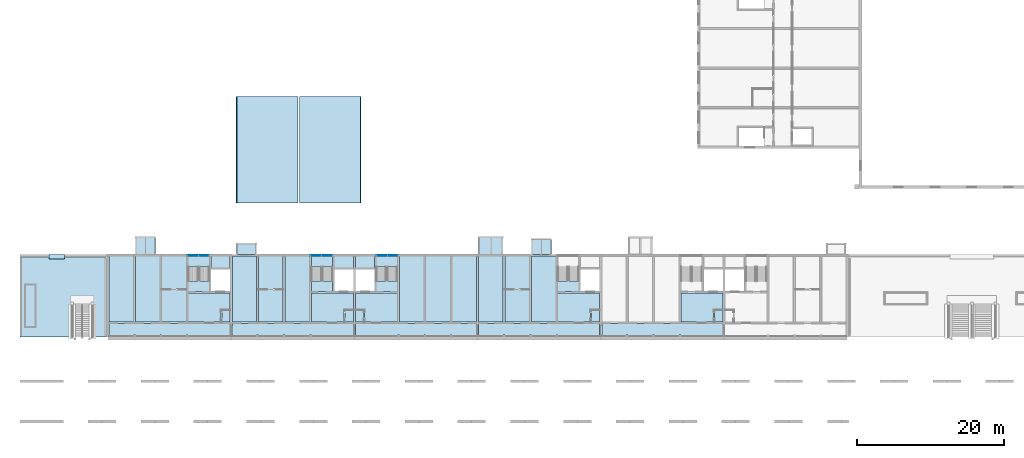
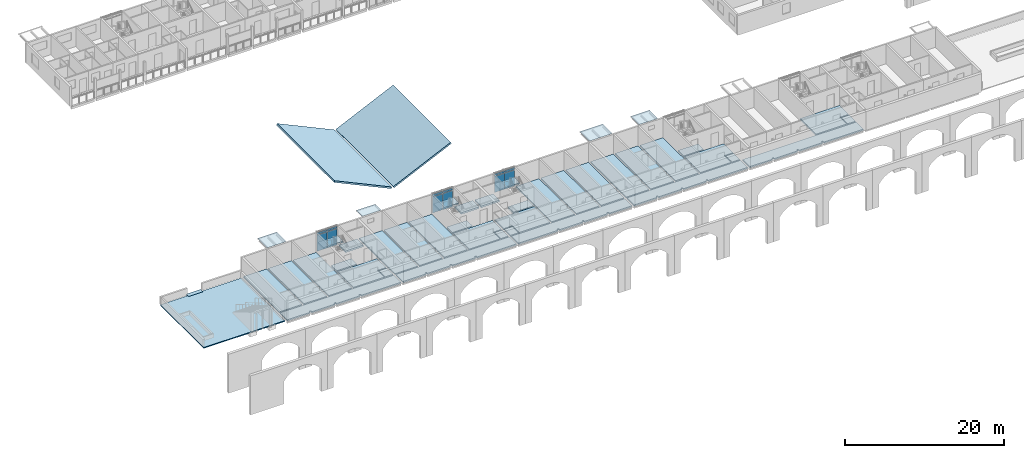
# One storey, part 42 of 122: 45 slabs, 12 plates, 6 elements without a shape of their own.
"""IFC4 building model written with IfcOpenShell, lengths in metres."""

from ifc_helpers import new_model, si_unit, direction, frame, origin, origin_2d, place, context, subcontext, project, spatial, polyline, rectangle, outline, extrude, material, layer, layer_set, type_object, element, aggregate, save


model = new_model("IFC4")

# Units and contexts
model_context = context("Model", 3, precision=1e-05, world=origin(), true_north=direction((0.0, 1.0)))
body_context = subcontext(model_context, "Body", "Model", "MODEL_VIEW")
ifc_project = project(units=[si_unit("LENGTHUNIT", "METRE"), si_unit("AREAUNIT", "SQUARE_METRE"), si_unit("VOLUMEUNIT", "CUBIC_METRE"), si_unit("PLANEANGLEUNIT", "RADIAN"), si_unit("MASSUNIT", "GRAM", prefix="KILO")], contexts=[model_context])

# Site, building, storey
site_placement = place(None, origin())
site = spatial("IfcSite", under=ifc_project, at=site_placement, CompositionType="ELEMENT")
building_placement = place(site_placement, origin())
building = spatial("IfcBuilding", under=site, at=building_placement, Name="Ridgestep Commons", CompositionType="ELEMENT")
storey_placement = place(building_placement, frame((0.0, 0.0, 3.0)))
storey = spatial("IfcBuildingStorey", under=building, at=storey_placement, Name="L01", CompositionType="ELEMENT", Elevation=3.0)

# Slabs
ifc_material_1 = material(Name="Concrete C30/37", Category="concrete")
ifc_layer_1 = layer(ifc_material_1, 0.199951171875)
ifc_layer_set_1 = layer_set([ifc_layer_1], Name="Community stair landing slab 200")
slab_type_1 = type_object("IfcSlabType", Name="Community stair landing slab 200", PredefinedType="LANDING", material=ifc_layer_set_1)
slab_1_placement = place(storey_placement, frame((0.0, 0.0, -0.199951171875)))
element("IfcSlab", 1, at=slab_1_placement, inside=storey, type_object=slab_type_1, Name="Arrival landing", PredefinedType="LANDING", context=body_context, shape_type="SweptSolid", body=[
    extrude(outline(polyline([(3.949951171875, 22.39990234375), (6.050048828125, 22.39990234375), (6.050048828125, 23.0), (3.949951171875, 23.0), (3.949951171875, 22.39990234375)])), origin(), (0.0, 0.0, 1.0), 0.199951171875),
])
ifc_material_2 = material(Name="Concrete C30/37", Category="concrete")
ifc_layer_2 = layer(ifc_material_2, 0.14990234375)
ifc_layer_set_2 = layer_set([ifc_layer_2], Name="Community terrace slab 150")
slab_type_2 = type_object("IfcSlabType", Name="Community terrace slab 150", PredefinedType="BASESLAB", material=ifc_layer_set_2)
slab_2_placement = place(storey_placement, frame((0.0, 0.0, -0.14990234375)))
element("IfcSlab", 2, at=slab_2_placement, inside=storey, type_object=slab_type_2, Name="Garden terrace paving west", PredefinedType="BASESLAB", context=body_context, shape_type="SweptSolid", body=[
    extrude(outline(polyline([(11.800048828125, 22.60009765625), (11.800048828125, 11.75), (0.001953125, 11.75), (0.001953125, 22.60009765625), (3.949951171875, 22.60009765625), (3.949951171875, 22.39990234375), (6.050048828125, 22.39990234375), (6.050048828125, 22.60009765625), (11.800048828125, 22.60009765625)])), origin(), (0.0, 0.0, 1.0), 0.14990234375),
])
ifc_material_3 = material(Name="Precast concrete C40/50", Category="concrete")
ifc_layer_3 = layer(ifc_material_3, 0.199951171875)
ifc_layer_set_3 = layer_set([ifc_layer_3], Name="Gallery slab 200")
slab_type_3 = type_object("IfcSlabType", Name="Gallery slab 200", PredefinedType="FLOOR", material=ifc_layer_set_3)
slab_3_placement = place(storey_placement, frame((0.0, 0.0, -0.199951171875)))
element("IfcSlab", 3, at=slab_3_placement, inside=storey, type_object=slab_type_3, Name="Gallery slab A1 L01", PredefinedType="FLOOR", context=body_context, shape_type="SweptSolid", body=[
    extrude(outline(polyline([(28.64990234375, 13.550048828125), (12.14990234375, 13.550048828125), (12.14990234375, 11.75), (15.47509765625, 11.75), (15.47509765625, 12.0), (15.72509765625, 12.0), (15.72509765625, 11.75), (19.074951171875, 11.75), (19.074951171875, 12.0), (19.324951171875, 12.0), (19.324951171875, 11.75), (22.675048828125, 11.75), (22.675048828125, 12.0), (22.925048828125, 12.0), (22.925048828125, 11.75), (28.64990234375, 11.75), (28.64990234375, 13.550048828125)])), origin(), (0.0, 0.0, 1.0), 0.199951171875),
])
slab_4_placement = place(storey_placement, frame((0.0, 0.0, -0.199951171875)))
element("IfcSlab", 4, at=slab_4_placement, inside=storey, type_object=slab_type_3, Name="Gallery slab A2 L01", PredefinedType="FLOOR", context=body_context, shape_type="SweptSolid", body=[
    extrude(outline(polyline([(45.449951171875, 13.550048828125), (28.949951171875, 13.550048828125), (28.949951171875, 11.75), (32.27490234375, 11.75), (32.27490234375, 12.0), (32.52490234375, 12.0), (32.52490234375, 11.75), (35.875, 11.75), (35.875, 12.0), (36.125, 12.0), (36.125, 11.75), (39.47509765625, 11.75), (39.47509765625, 12.0), (39.72509765625, 12.0), (39.72509765625, 11.75), (45.449951171875, 11.75), (45.449951171875, 13.550048828125)])), origin(), (0.0, 0.0, 1.0), 0.199951171875),
])
slab_5_placement = place(storey_placement, frame((0.0, 0.0, -0.199951171875)))
element("IfcSlab", 5, at=slab_5_placement, inside=storey, type_object=slab_type_3, Name="Gallery slab A3 L01", PredefinedType="FLOOR", context=body_context, shape_type="SweptSolid", body=[
    extrude(outline(polyline([(62.25, 13.550048828125), (45.75, 13.550048828125), (45.75, 11.75), (51.47509765625, 11.75), (51.47509765625, 12.0), (51.72509765625, 12.0), (51.72509765625, 11.75), (55.074951171875, 11.75), (55.074951171875, 12.0), (55.324951171875, 12.0), (55.324951171875, 11.75), (58.675048828125, 11.75), (58.675048828125, 12.0), (58.925048828125, 12.0), (58.925048828125, 11.75), (62.25, 11.75), (62.25, 13.550048828125)])), origin(), (0.0, 0.0, 1.0), 0.199951171875),
])
slab_6_placement = place(storey_placement, frame((0.0, 0.0, -0.199951171875)))
element("IfcSlab", 6, at=slab_6_placement, inside=storey, type_object=slab_type_3, Name="Gallery slab A4 L01", PredefinedType="FLOOR", context=body_context, shape_type="SweptSolid", body=[
    extrude(outline(polyline([(79.050048828125, 13.550048828125), (62.550048828125, 13.550048828125), (62.550048828125, 11.75), (65.875, 11.75), (65.875, 12.0), (66.125, 12.0), (66.125, 11.75), (69.47509765625, 11.75), (69.47509765625, 12.0), (69.72509765625, 12.0), (69.72509765625, 11.75), (73.074951171875, 11.75), (73.074951171875, 12.0), (73.324951171875, 12.0), (73.324951171875, 11.75), (79.050048828125, 11.75), (79.050048828125, 13.550048828125)])), origin(), (0.0, 0.0, 1.0), 0.199951171875),
])
slab_7_placement = place(storey_placement, frame((0.0, 0.0, -0.199951171875)))
element("IfcSlab", 7, at=slab_7_placement, inside=storey, type_object=slab_type_3, Name="Gallery slab A5 L01", PredefinedType="FLOOR", context=body_context, shape_type="SweptSolid", body=[
    extrude(outline(polyline([(95.85009765625, 13.550048828125), (79.35009765625, 13.550048828125), (79.35009765625, 11.75), (82.675048828125, 11.75), (82.675048828125, 12.0), (82.925048828125, 12.0), (82.925048828125, 11.75), (86.27490234375, 11.75), (86.27490234375, 12.0), (86.52490234375, 12.0), (86.52490234375, 11.75), (89.875, 11.75), (89.875, 12.0), (90.125, 12.0), (90.125, 11.75), (95.85009765625, 11.75), (95.85009765625, 13.550048828125)])), origin(), (0.0, 0.0, 1.0), 0.199951171875),
])

# Curtain wall, plates
ifc_material_4 = material(Name="Aluminium 6063-T6 and glass", Category="aluminium")
curtain_wall_type = type_object("IfcCurtainWallType", Name="Curtain wall stair strip", PredefinedType="NOTDEFINED", material=ifc_material_4)
curtain_wall_1_placement = place(storey_placement, origin())
curtain_wall_1 = element("IfcCurtainWall", 8, at=curtain_wall_1_placement, inside=storey, type_object=curtain_wall_type, Name="Curtain wall A1C level 01", PredefinedType="NOTDEFINED")
ifc_material_5 = material(Name="Glass laminated 6/16/6 low-emissivity", Category="glass")
ifc_layer_4 = layer(ifc_material_5, 0.028076171875)
ifc_layer_set_4 = layer_set([ifc_layer_4], Name="Glazing panel 28")
plate_type_1 = type_object("IfcPlateType", Name="Glazing panel 28", PredefinedType="CURTAIN_PANEL", material=ifc_layer_set_4)
plate_1_placement = place(storey_placement, frame((23.5712890625, 22.830078125, 0.06005859375), z_axis=(0.0, 0.0, 1.0), x_axis=(1.0, 0.0, 0.0)))
plate_1 = element("IfcPlate", 9, at=plate_1_placement, type_object=plate_type_1, Name="CW1 panel 1.1", PredefinedType="CURTAIN_PANEL", context=body_context, shape_type="SweptSolid", body=[
    extrude(rectangle(XDim=1.422607421875, YDim=0.028076171875, at=origin_2d()), origin(), (0.0, 0.0, 1.0), 2.5),
])
plate_2_placement = place(storey_placement, frame((25.0537109375, 22.830078125, 0.06005859375), z_axis=(0.0, 0.0, 1.0), x_axis=(1.0, 0.0, 0.0)))
plate_2 = element("IfcPlate", 10, at=plate_2_placement, type_object=plate_type_1, Name="CW1 panel 2.1", PredefinedType="CURTAIN_PANEL", context=body_context, shape_type="SweptSolid", body=[
    extrude(rectangle(XDim=1.422607421875, YDim=0.028076171875, at=origin_2d()), origin(), (0.0, 0.0, 1.0), 2.5),
])

curtain_wall_2_placement = place(storey_placement, origin())
curtain_wall_2 = element("IfcCurtainWall", 11, at=curtain_wall_2_placement, inside=storey, type_object=curtain_wall_type, Name="Curtain wall A2C level 01", PredefinedType="NOTDEFINED")
plate_3_placement = place(storey_placement, frame((40.371337890625, 22.830078125, 0.06005859375), z_axis=(0.0, 0.0, 1.0), x_axis=(1.0, 0.0, 0.0)))
plate_3 = element("IfcPlate", 12, at=plate_3_placement, type_object=plate_type_1, Name="CW1 panel 1.1", PredefinedType="CURTAIN_PANEL", context=body_context, shape_type="SweptSolid", body=[
    extrude(rectangle(XDim=1.422607421875, YDim=0.028076171875, at=origin_2d()), origin(), (0.0, 0.0, 1.0), 2.5),
])
plate_4_placement = place(storey_placement, frame((41.853759765625, 22.830078125, 0.06005859375), z_axis=(0.0, 0.0, 1.0), x_axis=(1.0, 0.0, 0.0)))
plate_4 = element("IfcPlate", 13, at=plate_4_placement, type_object=plate_type_1, Name="CW1 panel 2.1", PredefinedType="CURTAIN_PANEL", context=body_context, shape_type="SweptSolid", body=[
    extrude(rectangle(XDim=1.422607421875, YDim=0.028076171875, at=origin_2d()), origin(), (0.0, 0.0, 1.0), 2.5),
])

curtain_wall_3_placement = place(storey_placement, origin())
curtain_wall_3 = element("IfcCurtainWall", 14, at=curtain_wall_3_placement, inside=storey, type_object=curtain_wall_type, Name="Curtain wall A3C level 01", PredefinedType="NOTDEFINED")
plate_5_placement = place(storey_placement, frame((49.34619140625, 22.830078125, 0.06005859375), z_axis=(0.0, 0.0, 1.0), x_axis=(1.0, 0.0, 0.0)))
plate_5 = element("IfcPlate", 15, at=plate_5_placement, type_object=plate_type_1, Name="CW1 panel 1.1", PredefinedType="CURTAIN_PANEL", context=body_context, shape_type="SweptSolid", body=[
    extrude(rectangle(XDim=1.422607421875, YDim=0.028076171875, at=origin_2d()), origin(), (0.0, 0.0, 1.0), 2.5),
])
plate_6_placement = place(storey_placement, frame((50.828857421875, 22.830078125, 0.06005859375), z_axis=(0.0, 0.0, 1.0), x_axis=(1.0, 0.0, 0.0)))
plate_6 = element("IfcPlate", 16, at=plate_6_placement, type_object=plate_type_1, Name="CW1 panel 2.1", PredefinedType="CURTAIN_PANEL", context=body_context, shape_type="SweptSolid", body=[
    extrude(rectangle(XDim=1.422607421875, YDim=0.028076171875, at=origin_2d()), origin(), (0.0, 0.0, 1.0), 2.5),
])

# Slabs
ifc_material_6 = material(Name="Precast concrete C50/60", Category="concrete")
ifc_layer_5 = layer(ifc_material_6, 0.199951171875)
ifc_layer_set_5 = layer_set([ifc_layer_5], Name="Hollow-core plank 200")
slab_type_4 = type_object("IfcSlabType", Name="Hollow-core plank 200", PredefinedType="FLOOR", material=ifc_layer_set_5)
slab_8_placement = place(storey_placement, frame((0.0, 0.0, -0.199951171875)))
element("IfcSlab", 17, at=slab_8_placement, inside=storey, type_object=slab_type_4, Name="Floor plank A1T1 L01", PredefinedType="FLOOR", context=body_context, shape_type="SweptSolid", body=[
    extrude(outline(polyline([(15.47509765625, 13.75), (15.47509765625, 22.75), (12.14990234375, 22.75), (12.14990234375, 13.75), (15.47509765625, 13.75)])), origin(), (0.0, 0.0, 1.0), 0.199951171875),
])
slab_9_placement = place(storey_placement, frame((0.0, 0.0, -0.199951171875)))
element("IfcSlab", 18, at=slab_9_placement, inside=storey, type_object=slab_type_4, Name="Floor plank A1T2 L01", PredefinedType="FLOOR", context=body_context, shape_type="SweptSolid", body=[
    extrude(outline(polyline([(19.074951171875, 13.75), (19.074951171875, 22.75), (15.72509765625, 22.75), (15.72509765625, 13.75), (19.074951171875, 13.75)])), origin(), (0.0, 0.0, 1.0), 0.199951171875),
])
slab_10_placement = place(storey_placement, frame((0.0, 0.0, -0.199951171875)))
element("IfcSlab", 19, at=slab_10_placement, inside=storey, type_object=slab_type_4, Name="Floor plank A1T3 L01", PredefinedType="FLOOR", context=body_context, shape_type="SweptSolid", body=[
    extrude(outline(polyline([(22.675048828125, 13.75), (22.675048828125, 22.75), (19.324951171875, 22.75), (19.324951171875, 13.75), (22.675048828125, 13.75)])), origin(), (0.0, 0.0, 1.0), 0.199951171875),
])
slab_11_placement = place(storey_placement, frame((0.0, 0.0, -0.199951171875)))
element("IfcSlab", 20, at=slab_11_placement, inside=storey, type_object=slab_type_4, Name="Floor plank A2T1 L01", PredefinedType="FLOOR", context=body_context, shape_type="SweptSolid", body=[
    extrude(outline(polyline([(32.27490234375, 13.75), (32.27490234375, 22.75), (28.949951171875, 22.75), (28.949951171875, 13.75), (32.27490234375, 13.75)])), origin(), (0.0, 0.0, 1.0), 0.199951171875),
])
slab_12_placement = place(storey_placement, frame((0.0, 0.0, -0.199951171875)))
element("IfcSlab", 21, at=slab_12_placement, inside=storey, type_object=slab_type_4, Name="Floor plank A2T2 L01", PredefinedType="FLOOR", context=body_context, shape_type="SweptSolid", body=[
    extrude(outline(polyline([(35.875, 13.75), (35.875, 22.75), (32.52490234375, 22.75), (32.52490234375, 13.75), (35.875, 13.75)])), origin(), (0.0, 0.0, 1.0), 0.199951171875),
])
slab_13_placement = place(storey_placement, frame((0.0, 0.0, -0.199951171875)))
element("IfcSlab", 22, at=slab_13_placement, inside=storey, type_object=slab_type_4, Name="Floor plank A2T3 L01", PredefinedType="FLOOR", context=body_context, shape_type="SweptSolid", body=[
    extrude(outline(polyline([(39.47509765625, 13.75), (39.47509765625, 22.75), (36.125, 22.75), (36.125, 13.75), (39.47509765625, 13.75)])), origin(), (0.0, 0.0, 1.0), 0.199951171875),
])
slab_14_placement = place(storey_placement, frame((0.0, 0.0, -0.199951171875)))
element("IfcSlab", 23, at=slab_14_placement, inside=storey, type_object=slab_type_4, Name="Floor plank A3T3 L01", PredefinedType="FLOOR", context=body_context, shape_type="SweptSolid", body=[
    extrude(outline(polyline([(55.074951171875, 13.75), (55.074951171875, 22.75), (51.72509765625, 22.75), (51.72509765625, 13.75), (55.074951171875, 13.75)])), origin(), (0.0, 0.0, 1.0), 0.199951171875),
])
slab_15_placement = place(storey_placement, frame((0.0, 0.0, -0.199951171875)))
element("IfcSlab", 24, at=slab_15_placement, inside=storey, type_object=slab_type_4, Name="Floor plank A3T2 L01", PredefinedType="FLOOR", context=body_context, shape_type="SweptSolid", body=[
    extrude(outline(polyline([(58.675048828125, 13.75), (58.675048828125, 22.75), (55.324951171875, 22.75), (55.324951171875, 13.75), (58.675048828125, 13.75)])), origin(), (0.0, 0.0, 1.0), 0.199951171875),
])
slab_16_placement = place(storey_placement, frame((0.0, 0.0, -0.199951171875)))
element("IfcSlab", 25, at=slab_16_placement, inside=storey, type_object=slab_type_4, Name="Floor plank A3T1 L01", PredefinedType="FLOOR", context=body_context, shape_type="SweptSolid", body=[
    extrude(outline(polyline([(62.25, 13.75), (62.25, 22.75), (58.925048828125, 22.75), (58.925048828125, 13.75), (62.25, 13.75)])), origin(), (0.0, 0.0, 1.0), 0.199951171875),
])
slab_17_placement = place(storey_placement, frame((0.0, 0.0, -0.199951171875)))
element("IfcSlab", 26, at=slab_17_placement, inside=storey, type_object=slab_type_4, Name="Floor plank A4T1 L01", PredefinedType="FLOOR", context=body_context, shape_type="SweptSolid", body=[
    extrude(outline(polyline([(65.875, 13.75), (65.875, 22.75), (62.550048828125, 22.75), (62.550048828125, 13.75), (65.875, 13.75)])), origin(), (0.0, 0.0, 1.0), 0.199951171875),
])
slab_18_placement = place(storey_placement, frame((0.0, 0.0, -0.199951171875)))
element("IfcSlab", 27, at=slab_18_placement, inside=storey, type_object=slab_type_4, Name="Floor plank A4T2 L01", PredefinedType="FLOOR", context=body_context, shape_type="SweptSolid", body=[
    extrude(outline(polyline([(69.47509765625, 13.75), (69.47509765625, 22.75), (66.125, 22.75), (66.125, 13.75), (69.47509765625, 13.75)])), origin(), (0.0, 0.0, 1.0), 0.199951171875),
])
slab_19_placement = place(storey_placement, frame((0.0, 0.0, -0.199951171875)))
element("IfcSlab", 28, at=slab_19_placement, inside=storey, type_object=slab_type_4, Name="Floor plank A4T3 L01", PredefinedType="FLOOR", context=body_context, shape_type="SweptSolid", body=[
    extrude(outline(polyline([(73.074951171875, 13.75), (73.074951171875, 22.75), (69.72509765625, 22.75), (69.72509765625, 13.75), (73.074951171875, 13.75)])), origin(), (0.0, 0.0, 1.0), 0.199951171875),
])
ifc_material_7 = material(Name="Precast concrete C50/60", Category="concrete")
ifc_layer_6 = layer(ifc_material_7, 0.25)
ifc_layer_set_6 = layer_set([ifc_layer_6], Name="Hollow-core plank 250")
slab_type_5 = type_object("IfcSlabType", Name="Hollow-core plank 250", PredefinedType="FLOOR", material=ifc_layer_set_6)
slab_20_placement = place(storey_placement, frame((0.0, 0.0, -0.25)))
element("IfcSlab", 29, at=slab_20_placement, inside=storey, type_object=slab_type_5, Name="Floor plank A1C L01", PredefinedType="FLOOR", context=body_context, shape_type="SweptSolid", body=[
    extrude(outline(polyline([(27.52001953125, 15.469970703125), (28.64990234375, 15.469970703125), (28.64990234375, 17.75), (22.925048828125, 17.75), (22.925048828125, 13.75), (27.39990234375, 13.75), (27.39990234375, 15.469970703125), (27.52001953125, 15.469970703125)])), origin(), (0.0, 0.0, 1.0), 0.25),
])
slab_21_placement = place(storey_placement, frame((0.0, 0.0, -0.25)))
element("IfcSlab", 30, at=slab_21_placement, inside=storey, type_object=slab_type_5, Name="Floor plank A1C L01", PredefinedType="FLOOR", context=body_context, shape_type="SweptSolid", body=[
    extrude(outline(polyline([(28.64990234375, 21.14990234375), (28.64990234375, 22.75), (26.02490234375, 22.75), (26.02490234375, 21.14990234375), (28.64990234375, 21.14990234375)])), origin(), (0.0, 0.0, 1.0), 0.25),
])
slab_22_placement = place(storey_placement, frame((0.0, 0.0, -0.25)))
element("IfcSlab", 31, at=slab_22_placement, inside=storey, type_object=slab_type_5, Name="Floor plank A1C L01", PredefinedType="FLOOR", context=body_context, shape_type="SweptSolid", body=[
    extrude(outline(polyline([(25.824951171875, 17.949951171875), (25.824951171875, 19.35009765625), (22.925048828125, 19.35009765625), (22.925048828125, 17.949951171875), (25.824951171875, 17.949951171875)])), origin(), (0.0, 0.0, 1.0), 0.25),
])
slab_23_placement = place(storey_placement, frame((0.0, 0.0, -0.25)))
element("IfcSlab", 32, at=slab_23_placement, inside=storey, type_object=slab_type_5, Name="Floor plank A1C L01", PredefinedType="FLOOR", context=body_context, shape_type="SweptSolid", body=[
    extrude(outline(polyline([(27.52001953125, 13.75), (28.64990234375, 13.75), (28.64990234375, 15.35009765625), (27.52001953125, 15.35009765625), (27.52001953125, 13.75)])), origin(), (0.0, 0.0, 1.0), 0.25),
])
slab_24_placement = place(storey_placement, frame((0.0, 0.0, -0.25)))
element("IfcSlab", 33, at=slab_24_placement, inside=storey, type_object=slab_type_5, Name="Floor plank A2C L01", PredefinedType="FLOOR", context=body_context, shape_type="SweptSolid", body=[
    extrude(outline(polyline([(44.320068359375, 15.469970703125), (45.449951171875, 15.469970703125), (45.449951171875, 17.75), (39.72509765625, 17.75), (39.72509765625, 13.75), (44.199951171875, 13.75), (44.199951171875, 15.469970703125), (44.320068359375, 15.469970703125)])), origin(), (0.0, 0.0, 1.0), 0.25),
])
slab_25_placement = place(storey_placement, frame((0.0, 0.0, -0.25)))
element("IfcSlab", 34, at=slab_25_placement, inside=storey, type_object=slab_type_5, Name="Floor plank A2C L01", PredefinedType="FLOOR", context=body_context, shape_type="SweptSolid", body=[
    extrude(outline(polyline([(45.449951171875, 21.14990234375), (45.449951171875, 22.75), (42.824951171875, 22.75), (42.824951171875, 21.14990234375), (45.449951171875, 21.14990234375)])), origin(), (0.0, 0.0, 1.0), 0.25),
])
slab_26_placement = place(storey_placement, frame((0.0, 0.0, -0.25)))
element("IfcSlab", 35, at=slab_26_placement, inside=storey, type_object=slab_type_5, Name="Floor plank A2C L01", PredefinedType="FLOOR", context=body_context, shape_type="SweptSolid", body=[
    extrude(outline(polyline([(42.625, 17.949951171875), (42.625, 19.35009765625), (39.72509765625, 19.35009765625), (39.72509765625, 17.949951171875), (42.625, 17.949951171875)])), origin(), (0.0, 0.0, 1.0), 0.25),
])
slab_27_placement = place(storey_placement, frame((0.0, 0.0, -0.25)))
element("IfcSlab", 36, at=slab_27_placement, inside=storey, type_object=slab_type_5, Name="Floor plank A2C L01", PredefinedType="FLOOR", context=body_context, shape_type="SweptSolid", body=[
    extrude(outline(polyline([(44.320068359375, 13.75), (45.449951171875, 13.75), (45.449951171875, 15.35009765625), (44.320068359375, 15.35009765625), (44.320068359375, 13.75)])), origin(), (0.0, 0.0, 1.0), 0.25),
])
slab_28_placement = place(storey_placement, frame((0.0, 0.0, -0.25)))
element("IfcSlab", 37, at=slab_28_placement, inside=storey, type_object=slab_type_5, Name="Floor plank A3C L01", PredefinedType="FLOOR", context=body_context, shape_type="SweptSolid", body=[
    extrude(outline(polyline([(47.0, 13.75), (51.47509765625, 13.75), (51.47509765625, 17.75), (45.75, 17.75), (45.75, 15.469970703125), (46.8798828125, 15.469970703125), (47.0, 15.469970703125), (47.0, 13.75)])), origin(), (0.0, 0.0, 1.0), 0.25),
])
slab_29_placement = place(storey_placement, frame((0.0, 0.0, -0.25)))
element("IfcSlab", 38, at=slab_29_placement, inside=storey, type_object=slab_type_5, Name="Floor plank A3C L01", PredefinedType="FLOOR", context=body_context, shape_type="SweptSolid", body=[
    extrude(outline(polyline([(48.375, 22.75), (45.75, 22.75), (45.75, 21.14990234375), (48.375, 21.14990234375), (48.375, 22.75)])), origin(), (0.0, 0.0, 1.0), 0.25),
])
slab_30_placement = place(storey_placement, frame((0.0, 0.0, -0.25)))
element("IfcSlab", 39, at=slab_30_placement, inside=storey, type_object=slab_type_5, Name="Floor plank A3C L01", PredefinedType="FLOOR", context=body_context, shape_type="SweptSolid", body=[
    extrude(outline(polyline([(51.47509765625, 17.949951171875), (51.47509765625, 19.35009765625), (48.574951171875, 19.35009765625), (48.574951171875, 17.949951171875), (51.47509765625, 17.949951171875)])), origin(), (0.0, 0.0, 1.0), 0.25),
])
slab_31_placement = place(storey_placement, frame((0.0, 0.0, -0.25)))
element("IfcSlab", 40, at=slab_31_placement, inside=storey, type_object=slab_type_5, Name="Floor plank A3C L01", PredefinedType="FLOOR", context=body_context, shape_type="SweptSolid", body=[
    extrude(outline(polyline([(46.8798828125, 15.35009765625), (45.75, 15.35009765625), (45.75, 13.75), (46.8798828125, 13.75), (46.8798828125, 15.35009765625)])), origin(), (0.0, 0.0, 1.0), 0.25),
])
slab_32_placement = place(storey_placement, frame((0.0, 0.0, -0.25)))
element("IfcSlab", 41, at=slab_32_placement, inside=storey, type_object=slab_type_5, Name="Floor plank A4C L01", PredefinedType="FLOOR", context=body_context, shape_type="SweptSolid", body=[
    extrude(outline(polyline([(77.919921875, 15.469970703125), (79.050048828125, 15.469970703125), (79.050048828125, 17.75), (73.324951171875, 17.75), (73.324951171875, 13.75), (77.800048828125, 13.75), (77.800048828125, 15.469970703125), (77.919921875, 15.469970703125)])), origin(), (0.0, 0.0, 1.0), 0.25),
])
slab_33_placement = place(storey_placement, frame((0.0, 0.0, -0.25)))
element("IfcSlab", 42, at=slab_33_placement, inside=storey, type_object=slab_type_5, Name="Floor plank A4C L01", PredefinedType="FLOOR", context=body_context, shape_type="SweptSolid", body=[
    extrude(outline(polyline([(76.22509765625, 17.949951171875), (76.22509765625, 19.35009765625), (73.324951171875, 19.35009765625), (73.324951171875, 17.949951171875), (76.22509765625, 17.949951171875)])), origin(), (0.0, 0.0, 1.0), 0.25),
])
slab_34_placement = place(storey_placement, frame((0.0, 0.0, -0.25)))
element("IfcSlab", 43, at=slab_34_placement, inside=storey, type_object=slab_type_5, Name="Floor plank A4C L01", PredefinedType="FLOOR", context=body_context, shape_type="SweptSolid", body=[
    extrude(outline(polyline([(77.919921875, 13.75), (79.050048828125, 13.75), (79.050048828125, 15.35009765625), (77.919921875, 15.35009765625), (77.919921875, 13.75)])), origin(), (0.0, 0.0, 1.0), 0.25),
])
slab_35_placement = place(storey_placement, frame((0.0, 0.0, -0.25)))
element("IfcSlab", 44, at=slab_35_placement, inside=storey, type_object=slab_type_5, Name="Floor plank A5C L01", PredefinedType="FLOOR", context=body_context, shape_type="SweptSolid", body=[
    extrude(outline(polyline([(94.719970703125, 15.469970703125), (95.85009765625, 15.469970703125), (95.85009765625, 17.75), (90.125, 17.75), (90.125, 13.75), (94.60009765625, 13.75), (94.60009765625, 15.469970703125), (94.719970703125, 15.469970703125)])), origin(), (0.0, 0.0, 1.0), 0.25),
])
slab_36_placement = place(storey_placement, frame((0.0, 0.0, -0.25)))
element("IfcSlab", 45, at=slab_36_placement, inside=storey, type_object=slab_type_5, Name="Floor plank A5C L01", PredefinedType="FLOOR", context=body_context, shape_type="SweptSolid", body=[
    extrude(outline(polyline([(94.719970703125, 13.75), (95.85009765625, 13.75), (95.85009765625, 15.35009765625), (94.719970703125, 15.35009765625), (94.719970703125, 13.75)])), origin(), (0.0, 0.0, 1.0), 0.25),
])
ifc_material_8 = material(Name="Precast concrete C50/60", Category="concrete")
ifc_layer_7 = layer(ifc_material_8, 0.25)
ifc_layer_set_7 = layer_set([ifc_layer_7], Name="Nursery roof slab 250")
slab_type_6 = type_object("IfcSlabType", Name="Nursery roof slab 250", PredefinedType="ROOF", material=ifc_layer_set_7)
for number, where, z_axis, x_axis, name in (
    (46, (29.574951171875, 30.0, 4.20458984375), (0.42262645213, 0.0, 0.90630396775), (0.90630396775, 0.0, -0.42262645213), "Nursery roof plank"),
    (47, (38.10009765625, 30.0, 0.322509765625), (-0.42262645213, 0.0, 0.90630396775), (0.90630396775, 0.0, 0.42262645213), "Nursery roof plank"),
):
    element("IfcSlab", number, at=place(storey_placement, frame(where, z_axis=z_axis, x_axis=x_axis)), inside=storey, type_object=slab_type_6, Name=name, PredefinedType="ROOF", context=body_context, shape_type="SweptSolid", body=[
        extrude(outline(polyline([(0.0, 0.0), (9.185606008700676, 0.0), (9.185606008700676, 14.5), (0.0, 14.5), (0.0, 0.0)])), origin(), (0.0, 0.0, -1.0), 0.25),
    ])

# Plate
ifc_material_9 = material(Name="Aluminium 6063-T6 and mineral wool", Category="aluminium")
ifc_layer_8 = layer(ifc_material_9, 0.0400390625)
ifc_layer_set_8 = layer_set([ifc_layer_8], Name="Spandrel panel 40")
plate_type_2 = type_object("IfcPlateType", Name="Spandrel panel 40", PredefinedType="CURTAIN_PANEL", material=ifc_layer_set_8)
plate_7_placement = place(storey_placement, frame((23.5712890625, 22.830078125, 2.6201171875), z_axis=(0.0, 0.0, 1.0), x_axis=(1.0, 0.0, 0.0)))
plate_7 = element("IfcPlate", 48, at=plate_7_placement, type_object=plate_type_2, Name="CW1 panel 1.2", PredefinedType="CURTAIN_PANEL", context=body_context, shape_type="SweptSolid", body=[
    extrude(rectangle(XDim=1.422607421875, YDim=0.0400390625, at=origin_2d()), origin(), (0.0, 0.0, 1.0), 0.320068359375),
])

plate_8_placement = place(storey_placement, frame((25.0537109375, 22.830078125, 2.6201171875), z_axis=(0.0, 0.0, 1.0), x_axis=(1.0, 0.0, 0.0)))
plate_8 = element("IfcPlate", 49, at=plate_8_placement, type_object=plate_type_2, Name="CW1 panel 2.2", PredefinedType="CURTAIN_PANEL", context=body_context, shape_type="SweptSolid", body=[
    extrude(rectangle(XDim=1.422607421875, YDim=0.0400390625, at=origin_2d()), origin(), (0.0, 0.0, 1.0), 0.320068359375),
])

aggregate(curtain_wall_1, [plate_1, plate_7, plate_2, plate_8])

plate_9_placement = place(storey_placement, frame((40.371337890625, 22.830078125, 2.6201171875), z_axis=(0.0, 0.0, 1.0), x_axis=(1.0, 0.0, 0.0)))
plate_9 = element("IfcPlate", 50, at=plate_9_placement, type_object=plate_type_2, Name="CW1 panel 1.2", PredefinedType="CURTAIN_PANEL", context=body_context, shape_type="SweptSolid", body=[
    extrude(rectangle(XDim=1.422607421875, YDim=0.0400390625, at=origin_2d()), origin(), (0.0, 0.0, 1.0), 0.320068359375),
])

plate_10_placement = place(storey_placement, frame((41.853759765625, 22.830078125, 2.6201171875), z_axis=(0.0, 0.0, 1.0), x_axis=(1.0, 0.0, 0.0)))
plate_10 = element("IfcPlate", 51, at=plate_10_placement, type_object=plate_type_2, Name="CW1 panel 2.2", PredefinedType="CURTAIN_PANEL", context=body_context, shape_type="SweptSolid", body=[
    extrude(rectangle(XDim=1.422607421875, YDim=0.0400390625, at=origin_2d()), origin(), (0.0, 0.0, 1.0), 0.320068359375),
])

aggregate(curtain_wall_2, [plate_3, plate_9, plate_4, plate_10])

plate_11_placement = place(storey_placement, frame((49.34619140625, 22.830078125, 2.6201171875), z_axis=(0.0, 0.0, 1.0), x_axis=(1.0, 0.0, 0.0)))
plate_11 = element("IfcPlate", 52, at=plate_11_placement, type_object=plate_type_2, Name="CW1 panel 1.2", PredefinedType="CURTAIN_PANEL", context=body_context, shape_type="SweptSolid", body=[
    extrude(rectangle(XDim=1.422607421875, YDim=0.0400390625, at=origin_2d()), origin(), (0.0, 0.0, 1.0), 0.320068359375),
])

plate_12_placement = place(storey_placement, frame((50.828857421875, 22.830078125, 2.6201171875), z_axis=(0.0, 0.0, 1.0), x_axis=(1.0, 0.0, 0.0)))
plate_12 = element("IfcPlate", 53, at=plate_12_placement, type_object=plate_type_2, Name="CW1 panel 2.2", PredefinedType="CURTAIN_PANEL", context=body_context, shape_type="SweptSolid", body=[
    extrude(rectangle(XDim=1.422607421875, YDim=0.0400390625, at=origin_2d()), origin(), (0.0, 0.0, 1.0), 0.320068359375),
])

aggregate(curtain_wall_3, [plate_5, plate_11, plate_6, plate_12])

# Stair, slab
ifc_material_10 = material(Name="Precast concrete C40/50", Category="concrete")
stair_type = type_object("IfcStairType", Name="Escape stair 1400", PredefinedType="HALF_TURN_STAIR", material=ifc_material_10)
stair_1_placement = place(storey_placement, origin())
stair_1 = element("IfcStair", 54, at=stair_1_placement, inside=storey, type_object=stair_type, Name="L01 Escape stair A1C", PredefinedType="HALF_TURN_STAIR")
ifc_material_11 = material(Name="Precast concrete C40/50", Category="concrete")
ifc_layer_9 = layer(ifc_material_11, 0.199951171875)
ifc_layer_set_9 = layer_set([ifc_layer_9], Name="Stair landing 200")
slab_type_7 = type_object("IfcSlabType", Name="Stair landing 200", PredefinedType="LANDING", material=ifc_layer_set_9)
slab_37_placement = place(storey_placement, frame((0.0, 0.0, 1.300048828125)))
slab_37 = element("IfcSlab", 55, at=slab_37_placement, type_object=slab_type_7, Name="A1C landing 1", PredefinedType="LANDING", context=body_context, shape_type="SweptSolid", body=[
    extrude(outline(polyline([(25.824951171875, 21.31005859375), (25.824951171875, 22.75), (22.925048828125, 22.75), (22.925048828125, 21.31005859375), (25.824951171875, 21.31005859375)])), origin(), (0.0, 0.0, 1.0), 0.199951171875),
])
aggregate(stair_1, [slab_37])

stair_2_placement = place(storey_placement, origin())
stair_2 = element("IfcStair", 56, at=stair_2_placement, inside=storey, type_object=stair_type, Name="L01 Escape stair A2C", PredefinedType="HALF_TURN_STAIR")
slab_38_placement = place(storey_placement, frame((0.0, 0.0, 1.300048828125)))
slab_38 = element("IfcSlab", 57, at=slab_38_placement, type_object=slab_type_7, Name="A2C landing 1", PredefinedType="LANDING", context=body_context, shape_type="SweptSolid", body=[
    extrude(outline(polyline([(42.625, 21.31005859375), (42.625, 22.75), (39.72509765625, 22.75), (39.72509765625, 21.31005859375), (42.625, 21.31005859375)])), origin(), (0.0, 0.0, 1.0), 0.199951171875),
])
aggregate(stair_2, [slab_38])

stair_3_placement = place(storey_placement, origin())
stair_3 = element("IfcStair", 58, at=stair_3_placement, inside=storey, type_object=stair_type, Name="L01 Escape stair A3C", PredefinedType="HALF_TURN_STAIR")
slab_39_placement = place(storey_placement, frame((0.0, 0.0, 1.300048828125)))
slab_39 = element("IfcSlab", 59, at=slab_39_placement, type_object=slab_type_7, Name="A3C landing 1", PredefinedType="LANDING", context=body_context, shape_type="SweptSolid", body=[
    extrude(outline(polyline([(51.47509765625, 21.31005859375), (51.47509765625, 22.75), (48.574951171875, 22.75), (48.574951171875, 21.31005859375), (51.47509765625, 21.31005859375)])), origin(), (0.0, 0.0, 1.0), 0.199951171875),
])
aggregate(stair_3, [slab_39])

# Slabs
ifc_material_12 = material(Name="Weathering steel S355J2W", Category="steel")
ifc_layer_10 = layer(ifc_material_12, 0.010009765625)
ifc_layer_set_10 = layer_set([ifc_layer_10], Name="Tray 2.8 x 1.5")
slab_type_8 = type_object("IfcSlabType", Name="Tray 2.8 x 1.5", PredefinedType="FLOOR", material=ifc_layer_set_10)
slab_40_placement = place(storey_placement, frame((0.0, 0.0, 2.989990234375)))
element("IfcSlab", 60, at=slab_40_placement, inside=storey, type_object=slab_type_8, Name="Tray deck A2T1-02", PredefinedType="FLOOR", context=body_context, shape_type="SweptSolid", body=[
    extrude(outline(polyline([(29.530029296875, 23.0), (32.27001953125, 23.0), (32.27001953125, 24.5), (29.530029296875, 24.5), (29.530029296875, 23.0)])), origin(), (0.0, 0.0, 1.0), 0.010009765625),
])
ifc_material_13 = material(Name="Weathering steel S355J2W", Category="steel")
ifc_layer_11 = layer(ifc_material_13, 0.010009765625)
ifc_layer_set_11 = layer_set([ifc_layer_11], Name="Tray 2.8 x 2.1")
slab_type_9 = type_object("IfcSlabType", Name="Tray 2.8 x 2.1", PredefinedType="FLOOR", material=ifc_layer_set_11)
slab_41_placement = place(storey_placement, frame((0.0, 0.0, 2.989990234375)))
element("IfcSlab", 61, at=slab_41_placement, inside=storey, type_object=slab_type_9, Name="Tray deck A4T3-02", PredefinedType="FLOOR", context=body_context, shape_type="SweptSolid", body=[
    extrude(outline(polyline([(69.72998046875, 23.0), (72.469970703125, 23.0), (72.469970703125, 25.10009765625), (69.72998046875, 25.10009765625), (69.72998046875, 23.0)])), origin(), (0.0, 0.0, 1.0), 0.010009765625),
])
ifc_material_14 = material(Name="Weathering steel S355J2W", Category="steel")
ifc_layer_12 = layer(ifc_material_14, 0.010009765625)
ifc_layer_set_12 = layer_set([ifc_layer_12], Name="Tray 2.8 x 2.4")
slab_type_10 = type_object("IfcSlabType", Name="Tray 2.8 x 2.4", PredefinedType="FLOOR", material=ifc_layer_set_12)
slab_42_placement = place(storey_placement, frame((0.0, 0.0, 2.989990234375)))
element("IfcSlab", 62, at=slab_42_placement, inside=storey, type_object=slab_type_10, Name="Tray deck A1T2-02", PredefinedType="FLOOR", context=body_context, shape_type="SweptSolid", body=[
    extrude(outline(polyline([(15.72998046875, 23.0), (18.469970703125, 23.0), (18.469970703125, 25.39990234375), (15.72998046875, 25.39990234375), (15.72998046875, 23.0)])), origin(), (0.0, 0.0, 1.0), 0.010009765625),
])
ifc_material_15 = material(Name="Weathering steel S355J2W", Category="steel")
ifc_layer_13 = layer(ifc_material_15, 0.010009765625)
ifc_layer_set_13 = layer_set([ifc_layer_13], Name="Tray 3.4 x 2.4")
slab_type_11 = type_object("IfcSlabType", Name="Tray 3.4 x 2.4", PredefinedType="FLOOR", material=ifc_layer_set_13)
slab_43_placement = place(storey_placement, frame((0.0, 0.0, 2.989990234375)))
element("IfcSlab", 63, at=slab_43_placement, inside=storey, type_object=slab_type_11, Name="Tray deck A4T1-02", PredefinedType="FLOOR", context=body_context, shape_type="SweptSolid", body=[
    extrude(outline(polyline([(62.530029296875, 23.0), (65.8701171875, 23.0), (65.8701171875, 25.39990234375), (62.530029296875, 25.39990234375), (62.530029296875, 23.0)])), origin(), (0.0, 0.0, 1.0), 0.010009765625),
])

save(model, "model.ifc")
